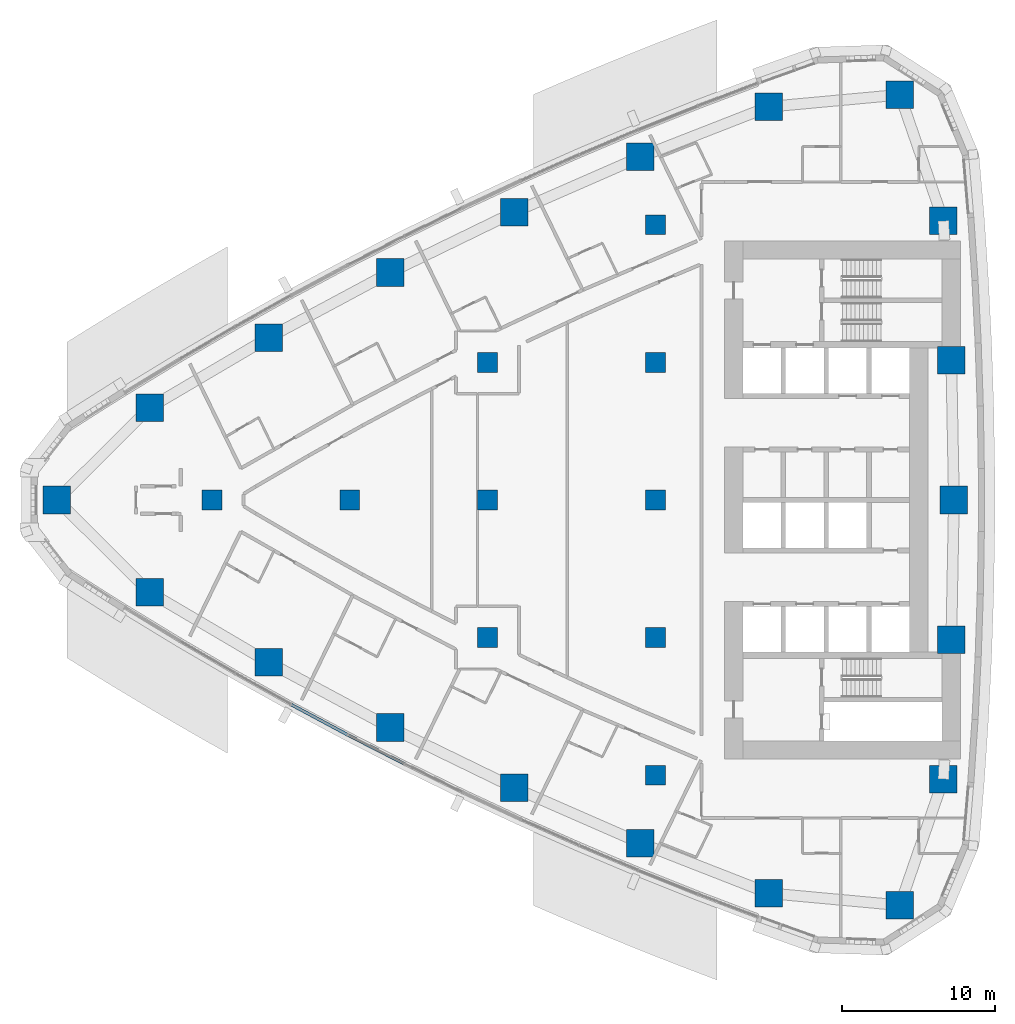
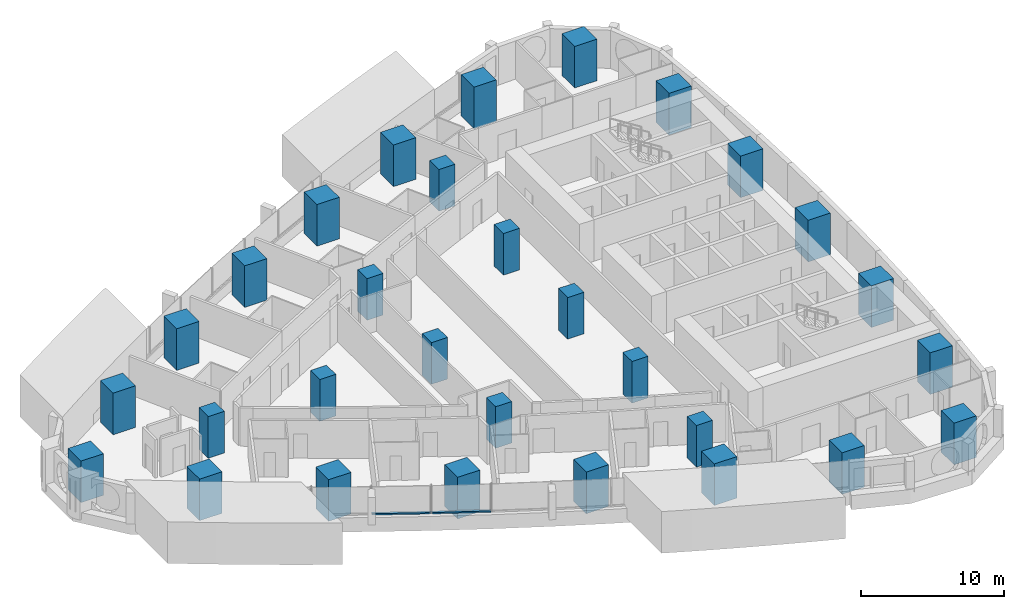
# One storey, part 1 of 19: 30 columns, 2 members, 1 element without a shape of its own.
"""IFC4 building model written with IfcOpenShell, lengths in metres."""

from ifc_helpers import new_model, si_unit, direction, frame, origin, origin_2d, place, context, subcontext, project, spatial, rectangle, extrude, material, layer, layer_set, material_profile, profile_set, type_object, element, aggregate, save


model = new_model("IFC4")

# Units and contexts
model_context = context("Model", 3, precision=1e-05, world=origin(), true_north=direction((0.0, 1.0)))
body_context = subcontext(model_context, "Body", "Model", "MODEL_VIEW")
ifc_project = project(units=[si_unit("LENGTHUNIT", "METRE"), si_unit("AREAUNIT", "SQUARE_METRE"), si_unit("VOLUMEUNIT", "CUBIC_METRE"), si_unit("PLANEANGLEUNIT", "RADIAN"), si_unit("MASSUNIT", "GRAM", prefix="KILO")], contexts=[model_context])

# Site, building, storey
site_placement = place(None, origin())
site = spatial("IfcSite", under=ifc_project, at=site_placement, CompositionType="ELEMENT")
building_placement = place(site_placement, origin())
building = spatial("IfcBuilding", under=site, at=building_placement, Name="Ostrand Prow Hotel Tower", CompositionType="ELEMENT")
storey_placement = place(building_placement, frame((0.0, 0.0, 50.25)))
storey = spatial("IfcBuildingStorey", under=building, at=storey_placement, Name="L10", CompositionType="ELEMENT", Elevation=50.25)

# Columns
ifc_material_1 = material(Name="Concrete C80/95", Category="concrete")
ifc_material_profile_1 = material_profile(ifc_material_1, rectangle(XDim=1.300048828125, YDim=1.300048828125, at=origin_2d()), Name="RC 1300x1300")
ifc_profile_set_1 = profile_set([ifc_material_profile_1], Name="Concrete C80/95")
column_type_1 = type_object("IfcColumnType", Name="Interior column 1300x1300 C80/95", PredefinedType="COLUMN", material=ifc_profile_set_1)
for number, where, z_axis, x_axis, name in (
    (1, (16.0, 0.0, 0.0), (0.0, 0.0, 1.0), (1.0, 0.0, 0.0), "Interior column 16C0"),
    (2, (25.0, 0.0, 0.0), (0.0, 0.0, 1.0), (1.0, 0.0, 0.0), "Interior column 25C0"),
    (3, (34.0, -9.0, 0.0), (0.0, 0.0, 1.0), (1.0, 0.0, 0.0), "Interior column 34S9"),
    (4, (34.0, 0.0, 0.0), (0.0, 0.0, 1.0), (1.0, 0.0, 0.0), "Interior column 34C0"),
    (5, (34.0, 9.0, 0.0), (0.0, 0.0, 1.0), (1.0, 0.0, 0.0), "Interior column 34N9"),
    (6, (45.0, -18.0, 0.0), (0.0, 0.0, 1.0), (1.0, 0.0, 0.0), "Interior column 45S18"),
    (7, (45.0, -9.0, 0.0), (0.0, 0.0, 1.0), (1.0, 0.0, 0.0), "Interior column 45S9"),
    (8, (45.0, 0.0, 0.0), (0.0, 0.0, 1.0), (1.0, 0.0, 0.0), "Interior column 45C0"),
    (9, (45.0, 9.0, 0.0), (0.0, 0.0, 1.0), (1.0, 0.0, 0.0), "Interior column 45N9"),
    (10, (45.0, 18.0, 0.0), (0.0, 0.0, 1.0), (1.0, 0.0, 0.0), "Interior column 45N18"),
):
    element("IfcColumn", number, at=place(storey_placement, frame(where, z_axis=z_axis, x_axis=x_axis)), inside=storey, type_object=column_type_1, Name=name, PredefinedType="COLUMN", context=body_context, shape_type="SweptSolid", body=[
        extrude(rectangle(XDim=1.300048828125, YDim=1.300048828125, at=origin_2d()), origin(), (0.0, 0.0, 1.0), 3.550048828125),
    ])
ifc_material_2 = material(Name="Concrete C80/95", Category="concrete")
ifc_material_profile_2 = material_profile(ifc_material_2, rectangle(XDim=1.800048828125, YDim=1.800048828125, at=origin_2d()), Name="RC 1800x1800")
ifc_profile_set_2 = profile_set([ifc_material_profile_2], Name="Concrete C80/95")
column_type_2 = type_object("IfcColumnType", Name="Stone-faced mega column 1800x1800 C80/95", PredefinedType="COLUMN", material=ifc_profile_set_2)
for number, where, z_axis, x_axis, name in (
    (11, (5.848388671875, 0.0, 0.0), (0.0, 0.0, 1.0), (1.0, 0.0, 0.0), "Mega column P"),
    (12, (11.926513671875, -6.0419921875, 0.0), (0.0, 0.0, 1.0), (1.0, 0.0, 0.0), "Mega column S1"),
    (13, (19.69287109375, -10.61474609375, 0.0), (0.0, 0.0, 1.0), (1.0, 0.0, 0.0), "Mega column S2"),
    (14, (27.635498046875, -14.874267578125, 0.0), (0.0, 0.0, 1.0), (1.0, 0.0, 0.0), "Mega column S3"),
    (15, (35.7412109375, -18.814208984375, 0.0), (0.0, 0.0, 1.0), (1.0, 0.0, 0.0), "Mega column S4"),
    (16, (43.997802734375, -22.427978515625, 0.0), (0.0, 0.0, 1.0), (1.0, 0.0, 0.0), "Mega column S5"),
    (17, (52.3916015625, -25.710205078125, 0.0), (0.0, 0.0, 1.0), (1.0, 0.0, 0.0), "Mega column S6"),
    (18, (60.966064453125, -26.49853515625, 0.0), (0.0, 0.0, 1.0), (1.0, 0.0, 0.0), "Mega column SE"),
    (19, (63.8134765625, -18.248779296875, 0.0), (0.0, 0.0, 1.0), (1.0, 0.0, 0.0), "Mega column B1"),
    (20, (64.328369140625, -9.130859375, 0.0), (0.0, 0.0, 1.0), (1.0, 0.0, 0.0), "Mega column B2"),
    (21, (64.5, 0.0, 0.0), (0.0, 0.0, 1.0), (1.0, 0.0, 0.0), "Mega column B3"),
    (22, (64.328369140625, 9.130859375, 0.0), (0.0, 0.0, 1.0), (1.0, 0.0, 0.0), "Mega column B4"),
    (23, (63.8134765625, 18.248779296875, 0.0), (0.0, 0.0, 1.0), (1.0, 0.0, 0.0), "Mega column B5"),
    (24, (60.966064453125, 26.49853515625, 0.0), (0.0, 0.0, 1.0), (1.0, 0.0, 0.0), "Mega column NE"),
    (25, (52.3916015625, 25.710205078125, 0.0), (0.0, 0.0, 1.0), (1.0, 0.0, 0.0), "Mega column N1"),
    (26, (43.997802734375, 22.427978515625, 0.0), (0.0, 0.0, 1.0), (1.0, 0.0, 0.0), "Mega column N2"),
    (27, (35.7412109375, 18.814208984375, 0.0), (0.0, 0.0, 1.0), (1.0, 0.0, 0.0), "Mega column N3"),
    (28, (27.635498046875, 14.874267578125, 0.0), (0.0, 0.0, 1.0), (1.0, 0.0, 0.0), "Mega column N4"),
    (29, (19.69287109375, 10.61474609375, 0.0), (0.0, 0.0, 1.0), (1.0, 0.0, 0.0), "Mega column N5"),
    (30, (11.926513671875, 6.0419921875, 0.0), (0.0, 0.0, 1.0), (1.0, 0.0, 0.0), "Mega column N6"),
):
    element("IfcColumn", number, at=place(storey_placement, frame(where, z_axis=z_axis, x_axis=x_axis)), inside=storey, type_object=column_type_2, Name=name, PredefinedType="COLUMN", context=body_context, shape_type="SweptSolid", body=[
        extrude(rectangle(XDim=1.800048828125, YDim=1.800048828125, at=origin_2d()), origin(), (0.0, 0.0, 1.0), 3.550048828125),
    ])

# Curtain wall, members
ifc_material_3 = material(Name="Insulated glass in bronze anodised frame", Category="glass")
ifc_layer = layer(ifc_material_3, 0.199951171875)
ifc_layer_set = layer_set([ifc_layer], Name="Insulated glass in bronze anodised frame")
curtain_wall_type = type_object("IfcCurtainWallType", Name="Strip curtain wall, fritted glass over bronze spandrel", PredefinedType="NOTDEFINED", material=ifc_layer_set)
curtain_wall_placement = place(storey_placement, origin())
curtain_wall = element("IfcCurtainWall", 31, at=curtain_wall_placement, inside=storey, type_object=curtain_wall_type, Name="CW1 run CWS2", PredefinedType="NOTDEFINED")
ifc_material_4 = material(Name="Bronze anodised aluminium", Category="aluminium")
ifc_material_profile_3 = material_profile(ifc_material_4, rectangle(XDim=0.199951171875, YDim=0.1201171875, at=origin_2d()), Name="Transom 120x200 bronze anodised aluminium")
ifc_profile_set_3 = profile_set([ifc_material_profile_3], Name="Bronze anodised aluminium")
member_type = type_object("IfcMemberType", Name="Transom 120x200 bronze anodised aluminium", PredefinedType="USERDEFINED", material=ifc_profile_set_3)
member_1_placement = place(storey_placement, frame((21.187255859375, -13.386962890625, 0.9599609375), z_axis=(0.881657241639, -0.471890356191, 0.0), x_axis=(0.471890356191, 0.881657241639, 0.0)))
member_1 = element("IfcMember", 32, at=member_1_placement, type_object=member_type, Name="CW1 transom 2.1", ObjectType="TRANSOM", PredefinedType="USERDEFINED", context=body_context, shape_type="SweptSolid", body=[
    extrude(rectangle(XDim=0.199951171875, YDim=0.1201171875, at=origin_2d()), origin(), (0.0, 0.0, 1.0), 4.13427734375),
])
member_2_placement = place(storey_placement, frame((24.885498046875, -15.36572265625, 0.9599609375), z_axis=(0.890182999343, -0.455603147136, 0.0), x_axis=(0.455603147136, 0.890182999343, 0.0)))
member_2 = element("IfcMember", 33, at=member_2_placement, type_object=member_type, Name="CW1 transom 3.1", ObjectType="TRANSOM", PredefinedType="USERDEFINED", context=body_context, shape_type="SweptSolid", body=[
    extrude(rectangle(XDim=0.199951171875, YDim=0.1201171875, at=origin_2d()), origin(), (0.0, 0.0, 1.0), 4.13427734375),
])
aggregate(curtain_wall, [member_1, member_2])

save(model, "model.ifc")
